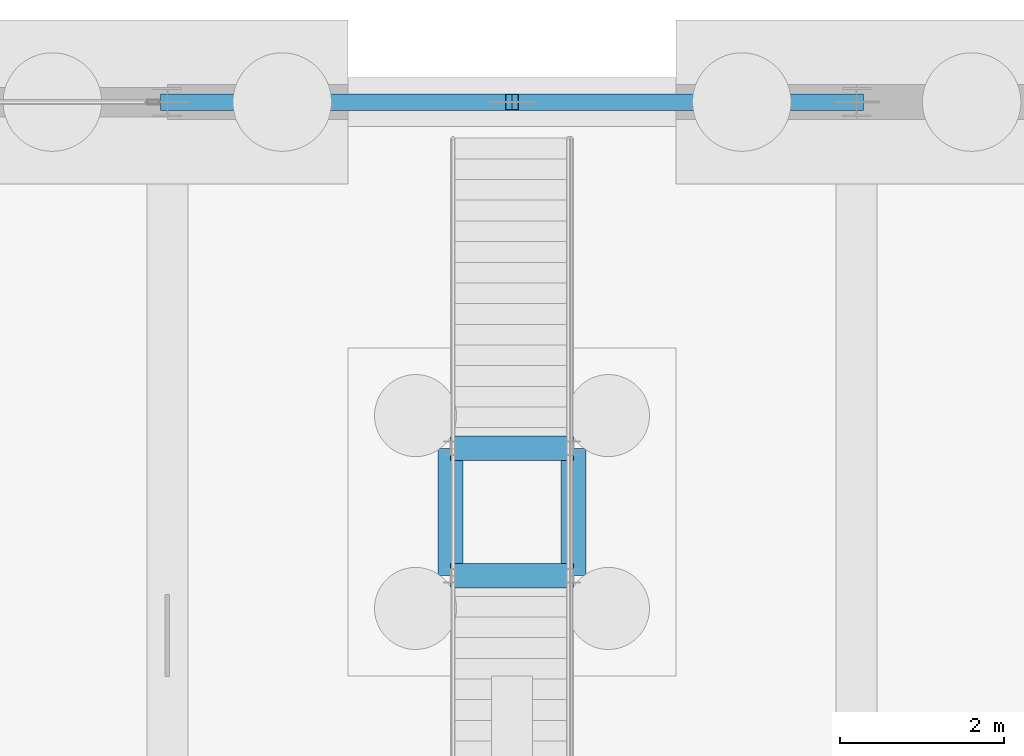
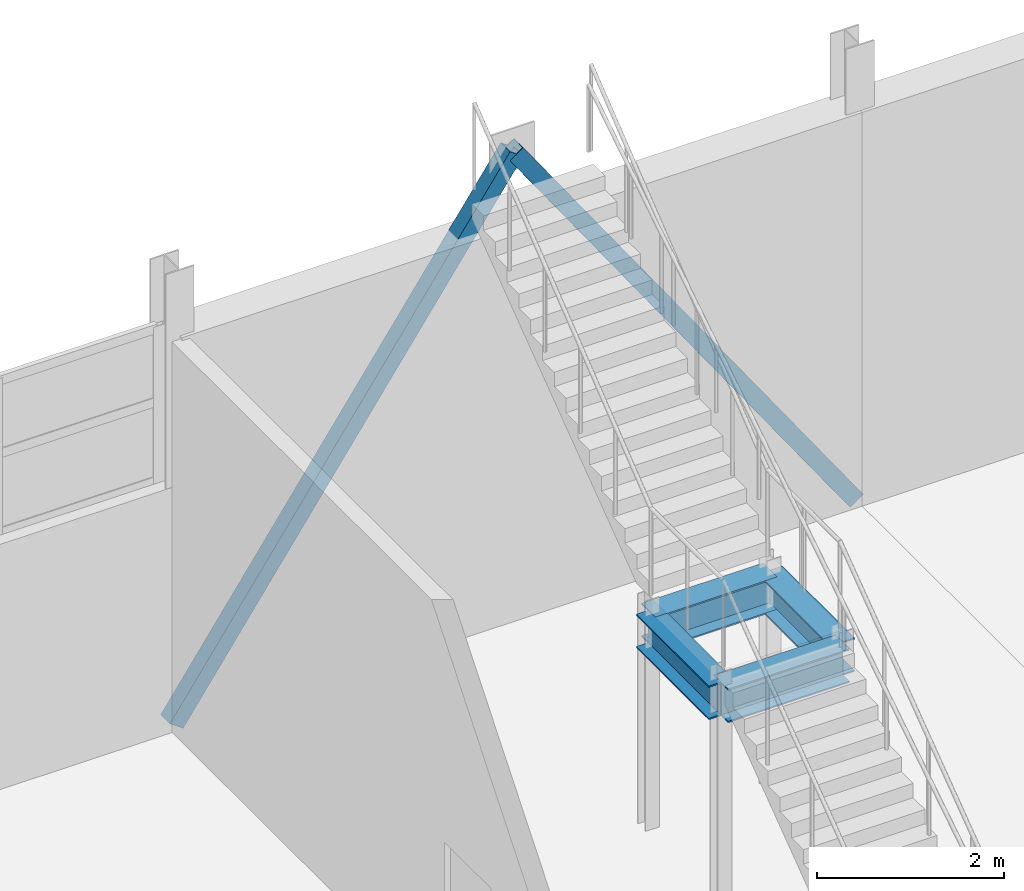
# One storey, part 93 of 139: 4 beams, 2 members.
"""IFC4 building model written with IfcOpenShell, lengths in metres."""

from ifc_helpers import new_model, si_unit, direction, frame, origin, origin_2d, place, context, subcontext, project, spatial, hollow_rectangle, i_section, extrude, material, material_profile, profile_set, type_object, element, save


model = new_model("IFC4")

# Units and contexts
model_context = context("Model", 3, precision=1e-05, world=origin(), true_north=direction((0.0, 1.0)))
body_context = subcontext(model_context, "Body", "Model", "MODEL_VIEW")
ifc_project = project(units=[si_unit("LENGTHUNIT", "METRE"), si_unit("AREAUNIT", "SQUARE_METRE"), si_unit("VOLUMEUNIT", "CUBIC_METRE"), si_unit("PLANEANGLEUNIT", "RADIAN"), si_unit("MASSUNIT", "GRAM", prefix="KILO")], contexts=[model_context])

# Site, building, storey
site_placement = place(None, origin())
site = spatial("IfcSite", under=ifc_project, at=site_placement, CompositionType="ELEMENT")
building_placement = place(site_placement, origin())
building = spatial("IfcBuilding", under=site, at=building_placement, Name="Kazenagashi Tramway Depot", CompositionType="ELEMENT")
storey_placement = place(building_placement, origin())
storey = spatial("IfcBuildingStorey", under=building, at=storey_placement, Name="L01", CompositionType="ELEMENT", Elevation=0.0)

# Members
ifc_material_1 = material(Name="Steel STKR490", Category="steel")
ifc_material_profile_1 = material_profile(ifc_material_1, hollow_rectangle(XDim=0.2, YDim=0.2, WallThickness=0.009, at=origin_2d()), Name="SHS-200x200x9")
ifc_profile_set_1 = profile_set([ifc_material_profile_1], Name="Steel STKR490")
member_type = type_object("IfcMemberType", Name="BR-01", PredefinedType="BRACE", material=ifc_profile_set_1)
for number, where, z_axis, x_axis, name in (
    (1, (53.2, 130.0, 0.0), (0.573462344363, 0.0, 0.819231920519), (0.0, 1.0, 0.0), "Seismic Brace Member BR-01 MEM-1592"),
    (2, (61.6, 130.0, 0.0), (-0.573462344363, 0.0, 0.819231920519), (0.0, -1.0, 0.0), "Seismic Brace Member BR-01 MEM-1593"),
):
    element("IfcMember", number, at=place(storey_placement, frame(where, z_axis=z_axis, x_axis=x_axis)), inside=storey, type_object=member_type, Name=name, PredefinedType="BRACE", context=body_context, shape_type="SweptSolid", body=[
        extrude(hollow_rectangle(XDim=0.2, YDim=0.2, WallThickness=0.009, at=origin_2d()), origin(), (0.0, 0.0, 1.0), 7.323933),
    ])

# Beams
ifc_material_2 = material(Name="Steel SN490B", Category="steel")
ifc_material_profile_2 = material_profile(ifc_material_2, i_section(OverallWidth=0.3, OverallDepth=0.44, WebThickness=0.011, FlangeThickness=0.018, at=origin_2d()), Name="H-440x300x11x18")
ifc_profile_set_2 = profile_set([ifc_material_profile_2], Name="Steel SN490B")
beam_type = type_object("IfcBeamType", Name="G-06", PredefinedType="BEAM", material=ifc_profile_set_2)
for number, where, z_axis, x_axis, name in (
    (3, (56.65, 124.23, 2.585), (1.0, 0.0, 0.0), (0.0, 1.0, 0.0), "Beam G-06 BM-2006"),
    (4, (56.65, 125.78, 2.585), (1.0, 0.0, 0.0), (0.0, 1.0, 0.0), "Beam G-06 BM-2007"),
):
    element("IfcBeam", number, at=place(storey_placement, frame(where, z_axis=z_axis, x_axis=x_axis)), inside=storey, type_object=beam_type, Name=name, PredefinedType="BEAM", context=body_context, shape_type="SweptSolid", body=[
        extrude(i_section(OverallWidth=0.3, OverallDepth=0.44, WebThickness=0.011, FlangeThickness=0.018, at=origin_2d()), origin(), (0.0, 0.0, 1.0), 1.5),
    ])
for number, where, z_axis, x_axis, name in (
    (5, (56.65, 124.23, 2.585), (0.0, 1.0, 0.0), (-1.0, 0.0, 0.0), "Beam G-06 BM-2008"),
    (6, (58.15, 124.23, 2.585), (0.0, 1.0, 0.0), (-1.0, 0.0, 0.0), "Beam G-06 BM-2009"),
):
    element("IfcBeam", number, at=place(storey_placement, frame(where, z_axis=z_axis, x_axis=x_axis)), inside=storey, type_object=beam_type, Name=name, PredefinedType="BEAM", context=body_context, shape_type="SweptSolid", body=[
        extrude(i_section(OverallWidth=0.3, OverallDepth=0.44, WebThickness=0.011, FlangeThickness=0.018, at=origin_2d()), origin(), (0.0, 0.0, 1.0), 1.55),
    ])

save(model, "model.ifc")
